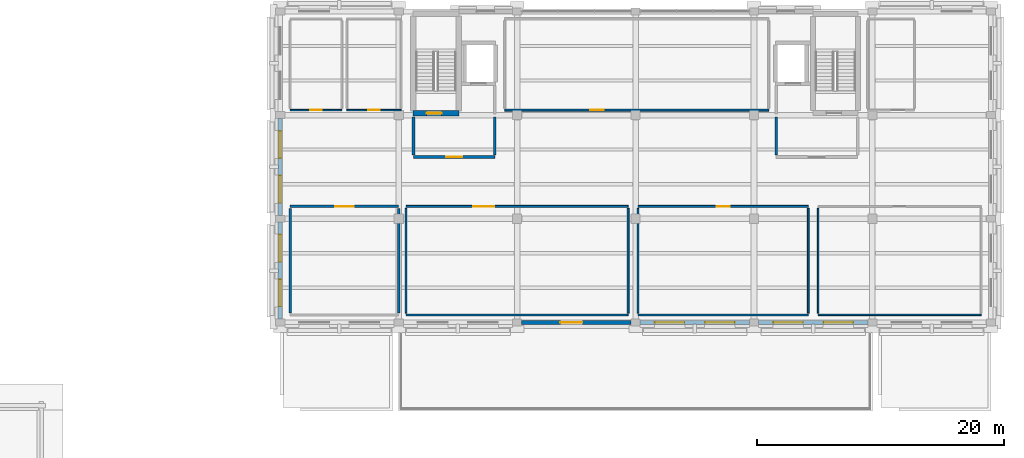
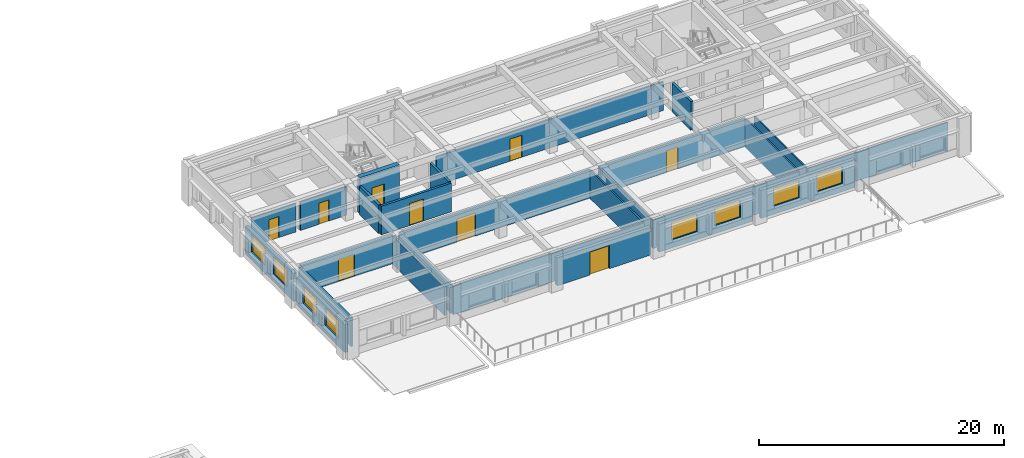
# One storey, part 4 of 10: 26 walls, 9 doors, 8 windows, 17 openings.
"""IFC4 building model written with IfcOpenShell, lengths in metres."""

from ifc_helpers import new_model, si_unit, direction, frame, frame_2d, origin, place, context, subcontext, project, spatial, rectangle, extrude, material, layer, layer_set, type_object, element, fill, save


model = new_model("IFC4")

# Units and contexts
model_context = context("Model", 3, precision=1e-05, world=origin(), true_north=direction((0.0, 1.0)))
body_context = subcontext(model_context, "Body", "Model", "MODEL_VIEW")
ifc_project = project(units=[si_unit("LENGTHUNIT", "METRE"), si_unit("AREAUNIT", "SQUARE_METRE"), si_unit("VOLUMEUNIT", "CUBIC_METRE"), si_unit("PLANEANGLEUNIT", "RADIAN"), si_unit("MASSUNIT", "GRAM", prefix="KILO")], contexts=[model_context])

# Site, building, storey
site_placement = place(None, origin())
site = spatial("IfcSite", under=ifc_project, at=site_placement, CompositionType="ELEMENT")
building_placement = place(site_placement, origin())
building = spatial("IfcBuilding", under=site, at=building_placement, Name="Bempovik Park Faculty of Sciences", CompositionType="ELEMENT")
storey_placement = place(building_placement, frame((0.0, 0.0, 26.699951171875)))
storey = spatial("IfcBuildingStorey", under=building, at=storey_placement, Name="L06", CompositionType="ELEMENT", Elevation=26.699951171875)

# Wall, opening, door
ifc_material_1 = material(Name="Concrete C40/50", Category="concrete")
ifc_layer_1 = layer(ifc_material_1, 0.449951171875)
ifc_layer_set_1 = layer_set([ifc_layer_1], Name="Concrete C40/50")
wall_type_1 = type_object("IfcWallType", Name="W-15 Wall 450mm", PredefinedType="SHEAR", material=ifc_layer_set_1)
wall_1_placement = place(storey_placement, frame((70.77490234375, 111.14990234375, 0.0), z_axis=(0.0, 0.0, 1.0), x_axis=(1.0, 0.0, 0.0)))
wall_1 = element("IfcWall", 1, at=wall_1_placement, inside=storey, type_object=wall_type_1, Name="ST-1 L06 Core Shear Wall South", PredefinedType="SHEAR", context=body_context, shape_type="SweptSolid", body=[
    extrude(rectangle(XDim=3.7001953125, YDim=0.449951171875, at=frame_2d((1.85009765625, 0.0))), origin(), (0.0, 0.0, 1.0), 3.6201171875),
])
opening_1_placement = place(wall_1_placement, frame((1.10009765625, 0.0, 0.0)))
opening_1 = element("IfcOpeningElement", 2, at=opening_1_placement, cuts=wall_1, Name="Opening D-49", PredefinedType="OPENING", context=body_context, shape_type="SweptSolid", body=[
    extrude(rectangle(XDim=1.199951171875, YDim=2.199951171875, at=frame_2d((0.60009765625, 1.10009765625))), frame((0.0, 0.23486328125, 0.0), z_axis=(0.0, -1.0, 0.0), x_axis=(1.0, 0.0, 0.0)), (0.0, 0.0, 1.0), 0.469970703125),
])
ifc_material_2 = material(Name="Painted steel S355", Category="steel")
door_type_1 = type_object("IfcDoorType", Name="D-49 Door 1200x2200", OperationType="NOTDEFINED", PredefinedType="DOOR", material=ifc_material_2)
door_1_placement = place(opening_1_placement, origin())
door_1 = element("IfcDoor", 3, at=door_1_placement, inside=storey, type_object=door_type_1, Name="ST-1 L06 Protected Stair Smoke Door", OperationType="SINGLE_SWING_RIGHT", OverallHeight=2.199951171875, OverallWidth=1.199951171875, PredefinedType="DOOR", context=body_context, shape_type="SweptSolid", body=[
    extrude(rectangle(XDim=1.199951171875, YDim=2.199951171875, at=frame_2d((0.60009765625, 1.10009765625))), frame((0.0, 0.02490234375, 0.0), z_axis=(0.0, -1.0, 0.0), x_axis=(1.0, 0.0, 0.0)), (0.0, 0.0, 1.0), 0.050048828125),
])
fill(opening_1, door_1)

# Walls
ifc_material_3 = material(Name="Gypsum acoustic stud assembly")
ifc_layer_2 = layer(ifc_material_3, 0.1201171875)
ifc_layer_set_2 = layer_set([ifc_layer_2], Name="Gypsum acoustic stud assembly")
wall_type_2 = type_object("IfcWallType", Name="W-17 Wall 120mm", PredefinedType="PARTITIONING", material=ifc_layer_set_2)
wall_2_placement = place(storey_placement, frame((103.60009765625, 94.800048828125, 0.0), z_axis=(0.0, 0.0, 1.0), x_axis=(1.0, 0.0, 0.0)))
element("IfcWall", 4, at=wall_2_placement, inside=storey, type_object=wall_type_2, Name="L06 Senior Research Fellow Offices Partition South", PredefinedType="PARTITIONING", context=body_context, shape_type="SweptSolid", body=[
    extrude(rectangle(XDim=13.199951171875, YDim=0.1201171875, at=frame_2d((6.60009765625, 0.0))), origin(), (0.0, 0.0, 1.0), 2.85009765625),
])
wall_3_placement = place(storey_placement, frame((103.60009765625, 94.9599609375, 0.0), z_axis=(0.0, 0.0, 1.0), x_axis=(0.0, 1.0, 0.0)))
element("IfcWall", 5, at=wall_3_placement, inside=storey, type_object=wall_type_2, Name="L06 Senior Research Fellow Offices Partition West", PredefinedType="PARTITIONING", context=body_context, shape_type="SweptSolid", body=[
    extrude(rectangle(XDim=8.47998046875, YDim=0.1201171875, at=frame_2d((4.239990234375, 0.0))), origin(), (0.0, 0.0, 1.0), 2.85009765625),
])

# Wall, opening, door
wall_4_placement = place(storey_placement, frame((60.800048828125, 111.39990234375, 0.0), z_axis=(0.0, 0.0, 1.0), x_axis=(1.0, 0.0, 0.0)))
wall_4 = element("IfcWall", 6, at=wall_4_placement, inside=storey, type_object=wall_type_2, Name="L06 L06 Male WC Partition South", PredefinedType="PARTITIONING", context=body_context, shape_type="SweptSolid", body=[
    extrude(rectangle(XDim=4.199951171875, YDim=0.1201171875, at=frame_2d((2.10009765625, 0.0))), origin(), (0.0, 0.0, 1.0), 2.85009765625),
])
opening_2_placement = place(wall_4_placement, frame((1.625, 0.0, 0.0)))
opening_2 = element("IfcOpeningElement", 7, at=opening_2_placement, cuts=wall_4, Name="Opening D-56", PredefinedType="OPENING", context=body_context, shape_type="SweptSolid", body=[
    extrude(rectangle(XDim=0.949951171875, YDim=2.10009765625, at=frame_2d((0.47509765625, 1.050048828125))), frame((0.0, 0.070068359375, 0.0), z_axis=(0.0, -1.0, 0.0), x_axis=(1.0, 0.0, 0.0)), (0.0, 0.0, 1.0), 0.14013671875),
])
ifc_material_4 = material(Name="West African hardwood finish", Category="wood")
door_type_2 = type_object("IfcDoorType", Name="D-56 Door 950x2100", OperationType="NOTDEFINED", PredefinedType="DOOR", material=ifc_material_4)
door_2_placement = place(opening_2_placement, origin())
door_2 = element("IfcDoor", 8, at=door_2_placement, inside=storey, type_object=door_type_2, Name="L06 L06 Male WC Door", OperationType="SINGLE_SWING_RIGHT", OverallHeight=2.10009765625, OverallWidth=0.949951171875, PredefinedType="DOOR", context=body_context, shape_type="SweptSolid", body=[
    extrude(rectangle(XDim=0.949951171875, YDim=2.10009765625, at=frame_2d((0.47509765625, 1.050048828125))), frame((0.0, 0.02490234375, 0.0), z_axis=(0.0, -1.0, 0.0), x_axis=(1.0, 0.0, 0.0)), (0.0, 0.0, 1.0), 0.050048828125),
])
fill(opening_2, door_2)

wall_5_placement = place(storey_placement, frame((65.39990234375, 111.39990234375, 0.0), z_axis=(0.0, 0.0, 1.0), x_axis=(1.0, 0.0, 0.0)))
wall_5 = element("IfcWall", 9, at=wall_5_placement, inside=storey, type_object=wall_type_2, Name="L06 L06 Female WC Partition South", PredefinedType="PARTITIONING", context=body_context, shape_type="SweptSolid", body=[
    extrude(rectangle(XDim=4.400146484375, YDim=0.1201171875, at=frame_2d((2.2001953125, 0.0))), origin(), (0.0, 0.0, 1.0), 2.85009765625),
])
opening_3_placement = place(wall_5_placement, frame((1.72509765625, 0.0, 0.0)))
opening_3 = element("IfcOpeningElement", 10, at=opening_3_placement, cuts=wall_5, Name="Opening D-56", PredefinedType="OPENING", context=body_context, shape_type="SweptSolid", body=[
    extrude(rectangle(XDim=0.949951171875, YDim=2.10009765625, at=frame_2d((0.47509765625, 1.050048828125))), frame((0.0, 0.070068359375, 0.0), z_axis=(0.0, -1.0, 0.0), x_axis=(1.0, 0.0, 0.0)), (0.0, 0.0, 1.0), 0.14013671875),
])
door_3_placement = place(opening_3_placement, origin())
door_3 = element("IfcDoor", 11, at=door_3_placement, inside=storey, type_object=door_type_2, Name="L06 L06 Female WC Door", OperationType="SINGLE_SWING_LEFT", OverallHeight=2.10009765625, OverallWidth=0.949951171875, PredefinedType="DOOR", context=body_context, shape_type="SweptSolid", body=[
    extrude(rectangle(XDim=0.949951171875, YDim=2.10009765625, at=frame_2d((0.47509765625, 1.050048828125))), frame((0.0, 0.02490234375, 0.0), z_axis=(0.0, -1.0, 0.0), x_axis=(1.0, 0.0, 0.0)), (0.0, 0.0, 1.0), 0.050048828125),
])
fill(opening_3, door_3)

ifc_material_5 = material(Name="Concrete C35/45", Category="concrete")
ifc_layer_3 = layer(ifc_material_5, 0.219970703125)
ifc_layer_set_3 = layer_set([ifc_layer_3], Name="Concrete C35/45")
wall_type_3 = type_object("IfcWallType", Name="W-38 Wall 220mm", PredefinedType="PARTITIONING", material=ifc_layer_set_3)
wall_6_placement = place(storey_placement, frame((70.800048828125, 107.60009765625, 0.0), z_axis=(0.0, 0.0, 1.0), x_axis=(1.0, 0.0, 0.0)))
wall_6 = element("IfcWall", 12, at=wall_6_placement, inside=storey, type_object=wall_type_3, Name="L06 Firefighting Lift Lobby West Partition South", PredefinedType="PARTITIONING", context=body_context, shape_type="SweptSolid", body=[
    extrude(rectangle(XDim=6.599853515625, YDim=0.219970703125, at=frame_2d((3.2998046875, 0.0))), origin(), (0.0, 0.0, 1.0), 2.85009765625),
])
opening_4_placement = place(wall_6_placement, frame((2.64990234375, 0.0, 0.0)))
opening_4 = element("IfcOpeningElement", 13, at=opening_4_placement, cuts=wall_6, Name="Opening D-38", PredefinedType="OPENING", context=body_context, shape_type="SweptSolid", body=[
    extrude(rectangle(XDim=1.300048828125, YDim=2.199951171875, at=frame_2d((0.64990234375, 1.10009765625))), frame((0.0, 0.1201171875, 0.0), z_axis=(0.0, -1.0, 0.0), x_axis=(1.0, 0.0, 0.0)), (0.0, 0.0, 1.0), 0.239990234375),
])
door_type_3 = type_object("IfcDoorType", Name="D-38 Door 1300x2200", OperationType="NOTDEFINED", PredefinedType="DOOR", material=ifc_material_2)
door_4_placement = place(opening_4_placement, origin())
door_4 = element("IfcDoor", 14, at=door_4_placement, inside=storey, type_object=door_type_3, Name="L06 Firefighting Lift Lobby West Door", OperationType="SINGLE_SWING_RIGHT", OverallHeight=2.199951171875, OverallWidth=1.300048828125, PredefinedType="DOOR", context=body_context, shape_type="SweptSolid", body=[
    extrude(rectangle(XDim=1.300048828125, YDim=2.199951171875, at=frame_2d((0.64990234375, 1.10009765625))), frame((0.0, 0.02490234375, 0.0), z_axis=(0.0, -1.0, 0.0), x_axis=(1.0, 0.0, 0.0)), (0.0, 0.0, 1.0), 0.050048828125),
])
fill(opening_4, door_4)

# Walls
for number, where, z_axis, x_axis, name in (
    (15, (70.800048828125, 107.760009765625, 0.0), (0.0, 0.0, 1.0), (0.0, 1.0, 0.0), "L06 Firefighting Lift Lobby West Partition West"),
    (16, (77.39990234375, 107.760009765625, 0.0), (0.0, 0.0, 1.0), (0.0, 1.0, 0.0), "L06 Firefighting Lift Lobby West Partition East"),
    (17, (100.199951171875, 107.760009765625, 0.0), (0.0, 0.0, 1.0), (0.0, 1.0, 0.0), "L06 Firefighting Lift Lobby East Partition West"),
):
    element("IfcWall", number, at=place(storey_placement, frame(where, z_axis=z_axis, x_axis=x_axis)), inside=storey, type_object=wall_type_3, Name=name, PredefinedType="PARTITIONING", context=body_context, shape_type="SweptSolid", body=[
        extrude(rectangle(XDim=3.080078125, YDim=0.219970703125, at=frame_2d((1.5400390625, 0.0))), origin(), (0.0, 0.0, 1.0), 2.85009765625),
    ])
ifc_layer_4 = layer(ifc_material_3, 0.14990234375)
ifc_layer_set_4 = layer_set([ifc_layer_4], Name="Gypsum acoustic stud assembly")
wall_type_4 = type_object("IfcWallType", Name="W-42 Wall 150mm", PredefinedType="PARTITIONING", material=ifc_layer_set_4)
wall_7_placement = place(storey_placement, frame((70.199951171875, 94.800048828125, 0.0), z_axis=(0.0, 0.0, 1.0), x_axis=(1.0, 0.0, 0.0)))
element("IfcWall", 18, at=wall_7_placement, inside=storey, type_object=wall_type_4, Name="L06 South Terrace Research Reading Lounge Partition South", PredefinedType="PARTITIONING", context=body_context, shape_type="SweptSolid", body=[
    extrude(rectangle(XDim=18.0, YDim=0.14990234375, at=frame_2d((9.0, 0.0))), origin(), (0.0, 0.0, 1.0), 2.85009765625),
])

# Wall, opening, door
wall_8_placement = place(storey_placement, frame((70.199951171875, 103.60009765625, 0.0), z_axis=(0.0, 0.0, 1.0), x_axis=(1.0, 0.0, 0.0)))
wall_8 = element("IfcWall", 19, at=wall_8_placement, inside=storey, type_object=wall_type_4, Name="L06 South Terrace Research Reading Lounge Partition North", PredefinedType="PARTITIONING", context=body_context, shape_type="SweptSolid", body=[
    extrude(rectangle(XDim=18.0, YDim=0.14990234375, at=frame_2d((9.0, 0.0))), origin(), (0.0, 0.0, 1.0), 2.85009765625),
])
opening_5_placement = place(wall_8_placement, frame((5.449951171875, 0.0, 0.0)))
opening_5 = element("IfcOpeningElement", 20, at=opening_5_placement, cuts=wall_8, Name="Opening D-40", PredefinedType="OPENING", context=body_context, shape_type="SweptSolid", body=[
    extrude(rectangle(XDim=1.699951171875, YDim=2.300048828125, at=frame_2d((0.85009765625, 1.14990234375))), frame((0.0, 0.0849609375, 0.0), z_axis=(0.0, -1.0, 0.0), x_axis=(1.0, 0.0, 0.0)), (0.0, 0.0, 1.0), 0.169921875),
])
ifc_material_6 = material(Name="Anodised architectural bronze")
door_type_4 = type_object("IfcDoorType", Name="D-40 Door 1700x2300", OperationType="NOTDEFINED", PredefinedType="DOOR", material=ifc_material_6)
door_5_placement = place(opening_5_placement, origin())
door_5 = element("IfcDoor", 21, at=door_5_placement, inside=storey, type_object=door_type_4, Name="L06 South Terrace Research Reading Lounge Door", OperationType="DOUBLE_DOOR_SINGLE_SWING", OverallHeight=2.300048828125, OverallWidth=1.699951171875, PredefinedType="DOOR", context=body_context, shape_type="SweptSolid", body=[
    extrude(rectangle(XDim=1.699951171875, YDim=2.300048828125, at=frame_2d((0.85009765625, 1.14990234375))), frame((0.0, 0.02490234375, 0.0), z_axis=(0.0, -1.0, 0.0), x_axis=(1.0, 0.0, 0.0)), (0.0, 0.0, 1.0), 0.050048828125),
])
fill(opening_5, door_5)

# Walls
for number, where, z_axis, x_axis, name in (
    (22, (70.199951171875, 94.9599609375, 0.0), (0.0, 0.0, 1.0), (0.0, 1.0, 0.0), "L06 South Terrace Research Reading Lounge Partition West"),
    (23, (88.199951171875, 94.9599609375, 0.0), (0.0, 0.0, 1.0), (0.0, 1.0, 0.0), "L06 South Terrace Research Reading Lounge Partition East"),
):
    element("IfcWall", number, at=place(storey_placement, frame(where, z_axis=z_axis, x_axis=x_axis)), inside=storey, type_object=wall_type_4, Name=name, PredefinedType="PARTITIONING", context=body_context, shape_type="SweptSolid", body=[
        extrude(rectangle(XDim=8.47998046875, YDim=0.14990234375, at=frame_2d((4.239990234375, 0.0))), origin(), (0.0, 0.0, 1.0), 2.85009765625),
    ])
wall_9_placement = place(storey_placement, frame((89.0, 94.800048828125, 0.0), z_axis=(0.0, 0.0, 1.0), x_axis=(1.0, 0.0, 0.0)))
element("IfcWall", 24, at=wall_9_placement, inside=storey, type_object=wall_type_4, Name="L06 Graduate Physics Seminar Room Partition South", PredefinedType="PARTITIONING", context=body_context, shape_type="SweptSolid", body=[
    extrude(rectangle(XDim=13.800048828125, YDim=0.14990234375, at=frame_2d((6.89990234375, 0.0))), origin(), (0.0, 0.0, 1.0), 2.85009765625),
])

# Wall, opening, door
wall_10_placement = place(storey_placement, frame((89.0, 103.60009765625, 0.0), z_axis=(0.0, 0.0, 1.0), x_axis=(1.0, 0.0, 0.0)))
wall_10 = element("IfcWall", 25, at=wall_10_placement, inside=storey, type_object=wall_type_4, Name="L06 Graduate Physics Seminar Room Partition North", PredefinedType="PARTITIONING", context=body_context, shape_type="SweptSolid", body=[
    extrude(rectangle(XDim=13.800048828125, YDim=0.14990234375, at=frame_2d((6.89990234375, 0.0))), origin(), (0.0, 0.0, 1.0), 2.85009765625),
])
opening_6_placement = place(wall_10_placement, frame((6.375, 0.0, 0.0)))
opening_6 = element("IfcOpeningElement", 26, at=opening_6_placement, cuts=wall_10, Name="Opening D-16", PredefinedType="OPENING", context=body_context, shape_type="SweptSolid", body=[
    extrude(rectangle(XDim=1.050048828125, YDim=2.199951171875, at=frame_2d((0.52490234375, 1.10009765625))), frame((0.0, 0.0849609375, 0.0), z_axis=(0.0, -1.0, 0.0), x_axis=(1.0, 0.0, 0.0)), (0.0, 0.0, 1.0), 0.169921875),
])
door_type_5 = type_object("IfcDoorType", Name="D-16 Door 1050x2200", OperationType="NOTDEFINED", PredefinedType="DOOR", material=ifc_material_4)
door_6_placement = place(opening_6_placement, origin())
door_6 = element("IfcDoor", 27, at=door_6_placement, inside=storey, type_object=door_type_5, Name="L06 Graduate Physics Seminar Room Door", OperationType="SINGLE_SWING_LEFT", OverallHeight=2.199951171875, OverallWidth=1.050048828125, PredefinedType="DOOR", context=body_context, shape_type="SweptSolid", body=[
    extrude(rectangle(XDim=1.050048828125, YDim=2.199951171875, at=frame_2d((0.52490234375, 1.10009765625))), frame((0.0, 0.02490234375, 0.0), z_axis=(0.0, -1.0, 0.0), x_axis=(1.0, 0.0, 0.0)), (0.0, 0.0, 1.0), 0.050048828125),
])
fill(opening_6, door_6)

# Walls
for number, where, z_axis, x_axis, name in (
    (28, (89.0, 94.9599609375, 0.0), (0.0, 0.0, 1.0), (0.0, 1.0, 0.0), "L06 Graduate Physics Seminar Room Partition West"),
    (29, (102.800048828125, 94.9599609375, 0.0), (0.0, 0.0, 1.0), (0.0, 1.0, 0.0), "L06 Graduate Physics Seminar Room Partition East"),
):
    element("IfcWall", number, at=place(storey_placement, frame(where, z_axis=z_axis, x_axis=x_axis)), inside=storey, type_object=wall_type_4, Name=name, PredefinedType="PARTITIONING", context=body_context, shape_type="SweptSolid", body=[
        extrude(rectangle(XDim=8.47998046875, YDim=0.14990234375, at=frame_2d((4.239990234375, 0.0))), origin(), (0.0, 0.0, 1.0), 2.85009765625),
    ])

# Wall, opening, door
wall_11_placement = place(storey_placement, frame((78.199951171875, 111.39990234375, 0.0), z_axis=(0.0, 0.0, 1.0), x_axis=(1.0, 0.0, 0.0)))
wall_11 = element("IfcWall", 30, at=wall_11_placement, inside=storey, type_object=wall_type_4, Name="L06 Laser Clean Prep Room Partition South", PredefinedType="PARTITIONING", context=body_context, shape_type="SweptSolid", body=[
    extrude(rectangle(XDim=21.400146484375, YDim=0.14990234375, at=frame_2d((10.7001953125, 0.0))), origin(), (0.0, 0.0, 1.0), 2.85009765625),
])
opening_7_placement = place(wall_11_placement, frame((6.93994140625, 0.0, 0.0)))
opening_7 = element("IfcOpeningElement", 31, at=opening_7_placement, cuts=wall_11, Name="Opening D-65", PredefinedType="OPENING", context=body_context, shape_type="SweptSolid", body=[
    extrude(rectangle(XDim=1.10009765625, YDim=2.199951171875, at=frame_2d((0.550048828125, 1.10009765625))), frame((0.0, 0.0849609375, 0.0), z_axis=(0.0, -1.0, 0.0), x_axis=(1.0, 0.0, 0.0)), (0.0, 0.0, 1.0), 0.169921875),
])
door_type_6 = type_object("IfcDoorType", Name="D-65 Door 1100x2200", OperationType="NOTDEFINED", PredefinedType="DOOR", material=ifc_material_4)
door_7_placement = place(opening_7_placement, origin())
door_7 = element("IfcDoor", 32, at=door_7_placement, inside=storey, type_object=door_type_6, Name="L06 Laser Clean Prep Room Door", OperationType="SINGLE_SWING_LEFT", OverallHeight=2.199951171875, OverallWidth=1.10009765625, PredefinedType="DOOR", context=body_context, shape_type="SweptSolid", body=[
    extrude(rectangle(XDim=1.10009765625, YDim=2.199951171875, at=frame_2d((0.550048828125, 1.10009765625))), frame((0.0, 0.02490234375, 0.0), z_axis=(0.0, -1.0, 0.0), x_axis=(1.0, 0.0, 0.0)), (0.0, 0.0, 1.0), 0.050048828125),
])
fill(opening_7, door_7)

# Wall, openings, windows
ifc_material_7 = material(Name="Precast concrete C40/50", Category="concrete")
ifc_layer_5 = layer(ifc_material_7, 0.320068359375)
ifc_layer_set_5 = layer_set([ifc_layer_5], Name="Precast concrete C40/50")
wall_type_5 = type_object("IfcWallType", Name="W-56 Wall 320mm", PredefinedType="SOLIDWALL", material=ifc_layer_set_5)
wall_12_placement = place(storey_placement, frame((60.0, 94.47705078125, 0.0), z_axis=(0.0, 0.0, 1.0), x_axis=(0.0, 1.0, 0.0)))
wall_12 = element("IfcWall", 33, at=wall_12_placement, inside=storey, type_object=wall_type_5, Name="L06 Classical Precast Facade Wall EW-L06-10454", PredefinedType="SOLIDWALL", context=body_context, shape_type="SweptSolid", body=[
    extrude(rectangle(XDim=7.845947265625, YDim=0.320068359375, at=frame_2d((3.9228515625, 0.0))), origin(), (0.0, 0.0, 1.0), 2.780029296875),
])
opening_8_placement = place(wall_12_placement, frame((1.018310546875, 0.0, 0.800048828125)))
opening_8 = element("IfcOpeningElement", 34, at=opening_8_placement, cuts=wall_12, Name="Opening WN-34", PredefinedType="OPENING", context=body_context, shape_type="SweptSolid", body=[
    extrude(rectangle(XDim=2.199951171875, YDim=1.75, at=frame_2d((1.10009765625, 0.875))), frame((0.0, 0.169921875, 0.0), z_axis=(0.0, -1.0, 0.0), x_axis=(1.0, 0.0, 0.0)), (0.0, 0.0, 1.0), 0.340087890625),
])
opening_9_placement = place(wall_12_placement, frame((4.627685546875, 0.0, 0.800048828125)))
opening_9 = element("IfcOpeningElement", 35, at=opening_9_placement, cuts=wall_12, Name="Opening WN-34", PredefinedType="OPENING", context=body_context, shape_type="SweptSolid", body=[
    extrude(rectangle(XDim=2.199951171875, YDim=1.75, at=frame_2d((1.10009765625, 0.875))), frame((0.0, 0.169921875, 0.0), z_axis=(0.0, -1.0, 0.0), x_axis=(1.0, 0.0, 0.0)), (0.0, 0.0, 1.0), 0.340087890625),
])
ifc_material_8 = material(Name="Tempered laminated low-E glass", Category="glass")
window_type_1 = type_object("IfcWindowType", Name="WN-34 Window 2200x1750", PartitioningType="SINGLE_PANEL", PredefinedType="WINDOW", material=ifc_material_8)
window_1_placement = place(opening_8_placement, origin())
window_1 = element("IfcWindow", 36, at=window_1_placement, inside=storey, type_object=window_type_1, Name="L06 Window EW-L06-10454-1", OverallHeight=1.75, OverallWidth=2.199951171875, PartitioningType="SINGLE_PANEL", PredefinedType="WINDOW", context=body_context, shape_type="SweptSolid", body=[
    extrude(rectangle(XDim=2.199951171875, YDim=1.75, at=frame_2d((1.10009765625, 0.875))), frame((0.0, 0.030029296875, 0.0), z_axis=(0.0, -1.0, 0.0), x_axis=(1.0, 0.0, 0.0)), (0.0, 0.0, 1.0), 0.06005859375),
])
fill(opening_8, window_1)
window_2_placement = place(opening_9_placement, origin())
window_2 = element("IfcWindow", 37, at=window_2_placement, inside=storey, type_object=window_type_1, Name="L06 Window EW-L06-10454-2", OverallHeight=1.75, OverallWidth=2.199951171875, PartitioningType="SINGLE_PANEL", PredefinedType="WINDOW", context=body_context, shape_type="SweptSolid", body=[
    extrude(rectangle(XDim=2.199951171875, YDim=1.75, at=frame_2d((1.10009765625, 0.875))), frame((0.0, 0.030029296875, 0.0), z_axis=(0.0, -1.0, 0.0), x_axis=(1.0, 0.0, 0.0)), (0.0, 0.0, 1.0), 0.06005859375),
])
fill(opening_9, window_2)

wall_13_placement = place(storey_placement, frame((60.0, 102.876953125, 0.0), z_axis=(0.0, 0.0, 1.0), x_axis=(0.0, 1.0, 0.0)))
wall_13 = element("IfcWall", 38, at=wall_13_placement, inside=storey, type_object=wall_type_5, Name="L06 Classical Precast Facade Wall EW-L06-10467", PredefinedType="SOLIDWALL", context=body_context, shape_type="SweptSolid", body=[
    extrude(rectangle(XDim=7.845947265625, YDim=0.320068359375, at=frame_2d((3.9228515625, 0.0))), origin(), (0.0, 0.0, 1.0), 2.780029296875),
])
opening_10_placement = place(wall_13_placement, frame((1.018310546875, 0.0, 0.800048828125)))
opening_10 = element("IfcOpeningElement", 39, at=opening_10_placement, cuts=wall_13, Name="Opening WN-34", PredefinedType="OPENING", context=body_context, shape_type="SweptSolid", body=[
    extrude(rectangle(XDim=2.199951171875, YDim=1.75, at=frame_2d((1.10009765625, 0.875))), frame((0.0, 0.169921875, 0.0), z_axis=(0.0, -1.0, 0.0), x_axis=(1.0, 0.0, 0.0)), (0.0, 0.0, 1.0), 0.340087890625),
])
opening_11_placement = place(wall_13_placement, frame((4.627685546875, 0.0, 0.800048828125)))
opening_11 = element("IfcOpeningElement", 40, at=opening_11_placement, cuts=wall_13, Name="Opening WN-34", PredefinedType="OPENING", context=body_context, shape_type="SweptSolid", body=[
    extrude(rectangle(XDim=2.199951171875, YDim=1.75, at=frame_2d((1.10009765625, 0.875))), frame((0.0, 0.169921875, 0.0), z_axis=(0.0, -1.0, 0.0), x_axis=(1.0, 0.0, 0.0)), (0.0, 0.0, 1.0), 0.340087890625),
])
window_3_placement = place(opening_10_placement, origin())
window_3 = element("IfcWindow", 41, at=window_3_placement, inside=storey, type_object=window_type_1, Name="L06 Window EW-L06-10467-1", OverallHeight=1.75, OverallWidth=2.199951171875, PartitioningType="SINGLE_PANEL", PredefinedType="WINDOW", context=body_context, shape_type="SweptSolid", body=[
    extrude(rectangle(XDim=2.199951171875, YDim=1.75, at=frame_2d((1.10009765625, 0.875))), frame((0.0, 0.030029296875, 0.0), z_axis=(0.0, -1.0, 0.0), x_axis=(1.0, 0.0, 0.0)), (0.0, 0.0, 1.0), 0.06005859375),
])
fill(opening_10, window_3)
window_4_placement = place(opening_11_placement, origin())
window_4 = element("IfcWindow", 42, at=window_4_placement, inside=storey, type_object=window_type_1, Name="L06 Window EW-L06-10467-2", OverallHeight=1.75, OverallWidth=2.199951171875, PartitioningType="SINGLE_PANEL", PredefinedType="WINDOW", context=body_context, shape_type="SweptSolid", body=[
    extrude(rectangle(XDim=2.199951171875, YDim=1.75, at=frame_2d((1.10009765625, 0.875))), frame((0.0, 0.030029296875, 0.0), z_axis=(0.0, -1.0, 0.0), x_axis=(1.0, 0.0, 0.0)), (0.0, 0.0, 1.0), 0.06005859375),
])
fill(opening_11, window_4)

# Wall, opening, door
wall_14_placement = place(storey_placement, frame((79.576904296875, 94.199951171875, 0.0), z_axis=(0.0, 0.0, 1.0), x_axis=(1.0, 0.0, 0.0)))
wall_14 = element("IfcWall", 43, at=wall_14_placement, inside=storey, type_object=wall_type_5, Name="L06 Classical Precast Facade Wall EW-L06-10516", PredefinedType="SOLIDWALL", context=body_context, shape_type="SweptSolid", body=[
    extrude(rectangle(XDim=8.84619140625, YDim=0.320068359375, at=frame_2d((4.423095703125, 0.0))), origin(), (0.0, 0.0, 1.0), 2.780029296875),
])
opening_12_placement = place(wall_14_placement, frame((3.123046875, 0.0, 0.0)))
opening_12 = element("IfcOpeningElement", 44, at=opening_12_placement, cuts=wall_14, Name="Opening D-17", PredefinedType="OPENING", context=body_context, shape_type="SweptSolid", body=[
    extrude(rectangle(XDim=1.800048828125, YDim=2.300048828125, at=frame_2d((0.89990234375, 1.14990234375))), frame((0.0, 0.169921875, 0.0), z_axis=(0.0, -1.0, 0.0), x_axis=(1.0, 0.0, 0.0)), (0.0, 0.0, 1.0), 0.340087890625),
])
door_type_7 = type_object("IfcDoorType", Name="D-17 Door 1800x2300", OperationType="NOTDEFINED", PredefinedType="DOOR", material=ifc_material_6)
door_8_placement = place(opening_12_placement, frame((1.800048828125, 0.0, 0.0), z_axis=(0.0, 0.0, 1.0), x_axis=(-1.0, 0.0, 0.0)))
door_8 = element("IfcDoor", 45, at=door_8_placement, inside=storey, type_object=door_type_7, Name="L06 South Atrium View Terrace Access Door", OperationType="DOUBLE_DOOR_SINGLE_SWING", OverallHeight=2.300048828125, OverallWidth=1.800048828125, PredefinedType="DOOR", context=body_context, shape_type="SweptSolid", body=[
    extrude(rectangle(XDim=1.800048828125, YDim=2.300048828125, at=frame_2d((0.89990234375, 1.14990234375))), frame((0.0, 0.02490234375, 0.0), z_axis=(0.0, -1.0, 0.0), x_axis=(1.0, 0.0, 0.0)), (0.0, 0.0, 1.0), 0.050048828125),
])
fill(opening_12, door_8)

# Wall, openings, windows
wall_15_placement = place(storey_placement, frame((89.177001953125, 94.199951171875, 0.0), z_axis=(0.0, 0.0, 1.0), x_axis=(1.0, 0.0, 0.0)))
wall_15 = element("IfcWall", 46, at=wall_15_placement, inside=storey, type_object=wall_type_5, Name="L06 Classical Precast Facade Wall EW-L06-10519", PredefinedType="SOLIDWALL", context=body_context, shape_type="SweptSolid", body=[
    extrude(rectangle(XDim=8.845947265625, YDim=0.320068359375, at=frame_2d((4.4228515625, 0.0))), origin(), (0.0, 0.0, 1.0), 2.780029296875),
])
opening_13_placement = place(wall_15_placement, frame((1.1884765625, 0.0, 0.800048828125)))
opening_13 = element("IfcOpeningElement", 47, at=opening_13_placement, cuts=wall_15, Name="Opening WN-22", PredefinedType="OPENING", context=body_context, shape_type="SweptSolid", body=[
    extrude(rectangle(XDim=2.39990234375, YDim=1.75, at=frame_2d((1.199951171875, 0.875))), frame((0.0, 0.169921875, 0.0), z_axis=(0.0, -1.0, 0.0), x_axis=(1.0, 0.0, 0.0)), (0.0, 0.0, 1.0), 0.340087890625),
])
opening_14_placement = place(wall_15_placement, frame((5.257568359375, 0.0, 0.800048828125)))
opening_14 = element("IfcOpeningElement", 48, at=opening_14_placement, cuts=wall_15, Name="Opening WN-22", PredefinedType="OPENING", context=body_context, shape_type="SweptSolid", body=[
    extrude(rectangle(XDim=2.39990234375, YDim=1.75, at=frame_2d((1.199951171875, 0.875))), frame((0.0, 0.169921875, 0.0), z_axis=(0.0, -1.0, 0.0), x_axis=(1.0, 0.0, 0.0)), (0.0, 0.0, 1.0), 0.340087890625),
])
window_type_2 = type_object("IfcWindowType", Name="WN-22 Window 2400x1750", PartitioningType="SINGLE_PANEL", PredefinedType="WINDOW", material=ifc_material_8)
window_5_placement = place(opening_13_placement, origin())
window_5 = element("IfcWindow", 49, at=window_5_placement, inside=storey, type_object=window_type_2, Name="L06 Window EW-L06-10519-1", OverallHeight=1.75, OverallWidth=2.39990234375, PartitioningType="SINGLE_PANEL", PredefinedType="WINDOW", context=body_context, shape_type="SweptSolid", body=[
    extrude(rectangle(XDim=2.39990234375, YDim=1.75, at=frame_2d((1.199951171875, 0.875))), frame((0.0, 0.030029296875, 0.0), z_axis=(0.0, -1.0, 0.0), x_axis=(1.0, 0.0, 0.0)), (0.0, 0.0, 1.0), 0.06005859375),
])
fill(opening_13, window_5)
window_6_placement = place(opening_14_placement, origin())
window_6 = element("IfcWindow", 50, at=window_6_placement, inside=storey, type_object=window_type_2, Name="L06 Window EW-L06-10519-2", OverallHeight=1.75, OverallWidth=2.39990234375, PartitioningType="SINGLE_PANEL", PredefinedType="WINDOW", context=body_context, shape_type="SweptSolid", body=[
    extrude(rectangle(XDim=2.39990234375, YDim=1.75, at=frame_2d((1.199951171875, 0.875))), frame((0.0, 0.030029296875, 0.0), z_axis=(0.0, -1.0, 0.0), x_axis=(1.0, 0.0, 0.0)), (0.0, 0.0, 1.0), 0.06005859375),
])
fill(opening_14, window_6)

wall_16_placement = place(storey_placement, frame((98.777099609375, 94.199951171875, 0.0), z_axis=(0.0, 0.0, 1.0), x_axis=(1.0, 0.0, 0.0)))
wall_16 = element("IfcWall", 51, at=wall_16_placement, inside=storey, type_object=wall_type_5, Name="L06 Classical Precast Facade Wall EW-L06-10531", PredefinedType="SOLIDWALL", context=body_context, shape_type="SweptSolid", body=[
    extrude(rectangle(XDim=8.845947265625, YDim=0.320068359375, at=frame_2d((4.4228515625, 0.0))), origin(), (0.0, 0.0, 1.0), 2.780029296875),
])
opening_15_placement = place(wall_16_placement, frame((1.1884765625, 0.0, 0.800048828125)))
opening_15 = element("IfcOpeningElement", 52, at=opening_15_placement, cuts=wall_16, Name="Opening WN-22", PredefinedType="OPENING", context=body_context, shape_type="SweptSolid", body=[
    extrude(rectangle(XDim=2.39990234375, YDim=1.75, at=frame_2d((1.199951171875, 0.875))), frame((0.0, 0.169921875, 0.0), z_axis=(0.0, -1.0, 0.0), x_axis=(1.0, 0.0, 0.0)), (0.0, 0.0, 1.0), 0.340087890625),
])
opening_16_placement = place(wall_16_placement, frame((5.257568359375, 0.0, 0.800048828125)))
opening_16 = element("IfcOpeningElement", 53, at=opening_16_placement, cuts=wall_16, Name="Opening WN-22", PredefinedType="OPENING", context=body_context, shape_type="SweptSolid", body=[
    extrude(rectangle(XDim=2.39990234375, YDim=1.75, at=frame_2d((1.199951171875, 0.875))), frame((0.0, 0.169921875, 0.0), z_axis=(0.0, -1.0, 0.0), x_axis=(1.0, 0.0, 0.0)), (0.0, 0.0, 1.0), 0.340087890625),
])
window_7_placement = place(opening_15_placement, origin())
window_7 = element("IfcWindow", 54, at=window_7_placement, inside=storey, type_object=window_type_2, Name="L06 Window EW-L06-10531-1", OverallHeight=1.75, OverallWidth=2.39990234375, PartitioningType="SINGLE_PANEL", PredefinedType="WINDOW", context=body_context, shape_type="SweptSolid", body=[
    extrude(rectangle(XDim=2.39990234375, YDim=1.75, at=frame_2d((1.199951171875, 0.875))), frame((0.0, 0.030029296875, 0.0), z_axis=(0.0, -1.0, 0.0), x_axis=(1.0, 0.0, 0.0)), (0.0, 0.0, 1.0), 0.06005859375),
])
fill(opening_15, window_7)
window_8_placement = place(opening_16_placement, origin())
window_8 = element("IfcWindow", 55, at=window_8_placement, inside=storey, type_object=window_type_2, Name="L06 Window EW-L06-10531-2", OverallHeight=1.75, OverallWidth=2.39990234375, PartitioningType="SINGLE_PANEL", PredefinedType="WINDOW", context=body_context, shape_type="SweptSolid", body=[
    extrude(rectangle(XDim=2.39990234375, YDim=1.75, at=frame_2d((1.199951171875, 0.875))), frame((0.0, 0.030029296875, 0.0), z_axis=(0.0, -1.0, 0.0), x_axis=(1.0, 0.0, 0.0)), (0.0, 0.0, 1.0), 0.06005859375),
])
fill(opening_16, window_8)

# Wall, opening, door
ifc_layer_6 = layer(ifc_material_5, 0.199951171875)
ifc_layer_set_6 = layer_set([ifc_layer_6], Name="Concrete C35/45")
wall_type_6 = type_object("IfcWallType", Name="W-59 Wall 200mm", PredefinedType="PARTITIONING", material=ifc_layer_set_6)
wall_17_placement = place(storey_placement, frame((60.800048828125, 103.60009765625, 0.0), z_axis=(0.0, 0.0, 1.0), x_axis=(1.0, 0.0, 0.0)))
wall_17 = element("IfcWall", 56, at=wall_17_placement, inside=storey, type_object=wall_type_6, Name="L06 Quantum Optics Research Laboratory Partition North", PredefinedType="PARTITIONING", context=body_context, shape_type="SweptSolid", body=[
    extrude(rectangle(XDim=8.800048828125, YDim=0.199951171875, at=frame_2d((4.39990234375, 0.0))), origin(), (0.0, 0.0, 1.0), 2.85009765625),
])
opening_17_placement = place(wall_17_placement, frame((3.64990234375, 0.0, 0.0)))
opening_17 = element("IfcOpeningElement", 57, at=opening_17_placement, cuts=wall_17, Name="Opening D-22", PredefinedType="OPENING", context=body_context, shape_type="SweptSolid", body=[
    extrude(rectangle(XDim=1.5, YDim=2.199951171875, at=frame_2d((0.75, 1.10009765625))), frame((0.0, 0.10986328125, 0.0), z_axis=(0.0, -1.0, 0.0), x_axis=(1.0, 0.0, 0.0)), (0.0, 0.0, 1.0), 0.219970703125),
])
door_type_8 = type_object("IfcDoorType", Name="D-22 Door 1500x2200", OperationType="NOTDEFINED", PredefinedType="DOOR", material=ifc_material_4)
door_9_placement = place(opening_17_placement, origin())
door_9 = element("IfcDoor", 58, at=door_9_placement, inside=storey, type_object=door_type_8, Name="L06 Quantum Optics Research Laboratory Door", OperationType="SINGLE_SWING_RIGHT", OverallHeight=2.199951171875, OverallWidth=1.5, PredefinedType="DOOR", context=body_context, shape_type="SweptSolid", body=[
    extrude(rectangle(XDim=1.5, YDim=2.199951171875, at=frame_2d((0.75, 1.10009765625))), frame((0.0, 0.02490234375, 0.0), z_axis=(0.0, -1.0, 0.0), x_axis=(1.0, 0.0, 0.0)), (0.0, 0.0, 1.0), 0.050048828125),
])
fill(opening_17, door_9)

# Walls
for number, where, z_axis, x_axis, name in (
    (59, (60.800048828125, 94.9599609375, 0.0), (0.0, 0.0, 1.0), (0.0, 1.0, 0.0), "L06 Quantum Optics Research Laboratory Partition West"),
    (60, (69.60009765625, 94.9599609375, 0.0), (0.0, 0.0, 1.0), (0.0, 1.0, 0.0), "L06 Quantum Optics Research Laboratory Partition East"),
):
    element("IfcWall", number, at=place(storey_placement, frame(where, z_axis=z_axis, x_axis=x_axis)), inside=storey, type_object=wall_type_6, Name=name, PredefinedType="PARTITIONING", context=body_context, shape_type="SweptSolid", body=[
        extrude(rectangle(XDim=8.47998046875, YDim=0.199951171875, at=frame_2d((4.239990234375, 0.0))), origin(), (0.0, 0.0, 1.0), 2.85009765625),
    ])

save(model, "model.ifc")
